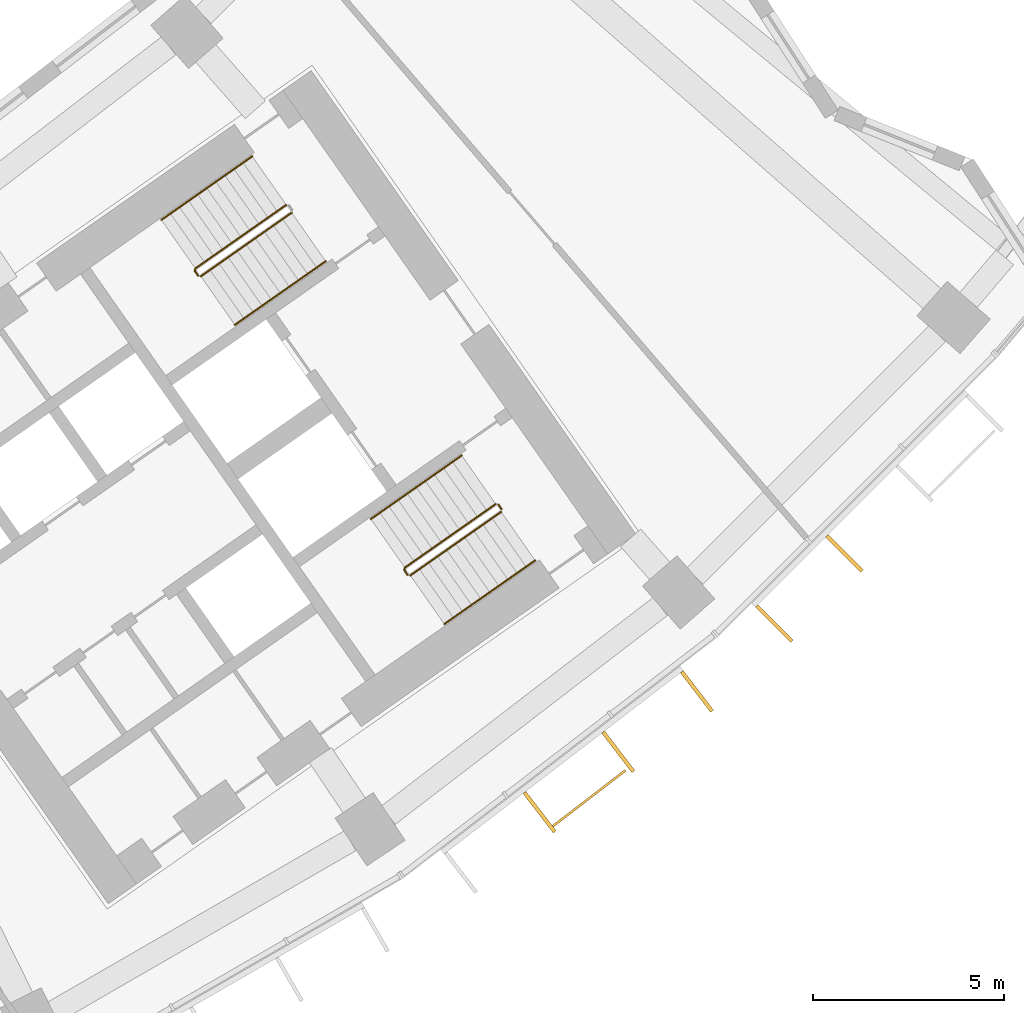
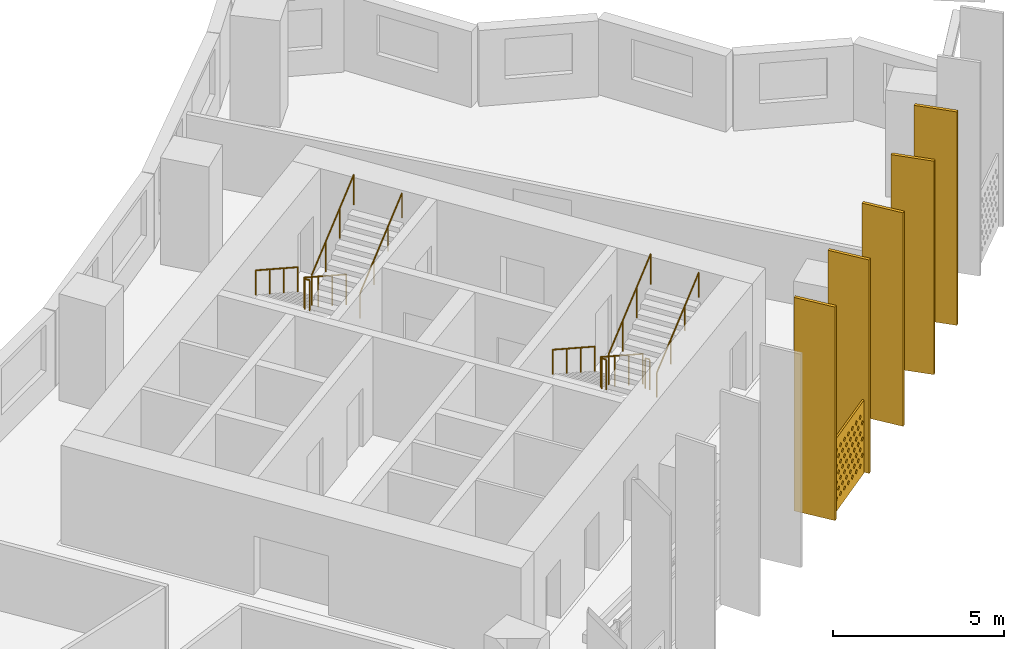
# One storey, part 29 of 30: 9 railings, 6 shading devices.
"""IFC4 building model written with IfcOpenShell, lengths in metres."""

from ifc_helpers import new_model, si_unit, direction, frame, origin, origin_2d, place, context, subcontext, project, spatial, polyline, rectangle, circle, outline, extrude, material, material_profile, profile_set, type_object, element, save


model = new_model("IFC4")

# Units and contexts
model_context = context("Model", 3, precision=1e-05, world=origin(), true_north=direction((0.0, 1.0)))
body_context = subcontext(model_context, "Body", "Model", "MODEL_VIEW")
ifc_project = project(units=[si_unit("LENGTHUNIT", "METRE"), si_unit("AREAUNIT", "SQUARE_METRE"), si_unit("VOLUMEUNIT", "CUBIC_METRE"), si_unit("PLANEANGLEUNIT", "RADIAN"), si_unit("MASSUNIT", "GRAM", prefix="KILO")], contexts=[model_context])

# Site, building, storey
site_placement = place(None, origin())
site = spatial("IfcSite", under=ifc_project, at=site_placement, CompositionType="ELEMENT")
building_placement = place(site_placement, origin())
building = spatial("IfcBuilding", under=site, at=building_placement, Name="Qamariyya Broadcast Tower", CompositionType="ELEMENT")
storey_placement = place(building_placement, frame((0.0, 0.0, 110.10009765625)))
storey = spatial("IfcBuildingStorey", under=building, at=storey_placement, Name="L24", CompositionType="ELEMENT", Elevation=110.10009765625)

# Shading device
ifc_material_1 = material(Name="Perforated glazed terracotta", Category="masonry")
ifc_material_profile_1 = material_profile(ifc_material_1, outline(polyline([(-1.199951171875, -1.300048828125), (1.199951171875, -1.300048828125), (1.199951171875, 1.300048828125), (-1.199951171875, 1.300048828125), (-1.199951171875, -1.300048828125)]), holes=[polyline([(-0.81494140625, -0.86669921875), (-0.89990234375, -0.78173828125), (-0.985107421875, -0.86669921875), (-0.89990234375, -0.95166015625), (-0.81494140625, -0.86669921875)]), polyline([(-0.514892578125, -0.86669921875), (-0.60009765625, -0.78173828125), (-0.68505859375, -0.86669921875), (-0.60009765625, -0.95166015625), (-0.514892578125, -0.86669921875)]), polyline([(-0.215087890625, -0.86669921875), (-0.300048828125, -0.78173828125), (-0.385009765625, -0.86669921875), (-0.300048828125, -0.95166015625), (-0.215087890625, -0.86669921875)]), polyline([(0.0849609375, -0.86669921875), (0.0, -0.78173828125), (-0.0849609375, -0.86669921875), (0.0, -0.95166015625), (0.0849609375, -0.86669921875)]), polyline([(0.385009765625, -0.86669921875), (0.300048828125, -0.78173828125), (0.215087890625, -0.86669921875), (0.300048828125, -0.95166015625), (0.385009765625, -0.86669921875)]), polyline([(0.68505859375, -0.86669921875), (0.60009765625, -0.78173828125), (0.514892578125, -0.86669921875), (0.60009765625, -0.95166015625), (0.68505859375, -0.86669921875)]), polyline([(0.985107421875, -0.86669921875), (0.89990234375, -0.78173828125), (0.81494140625, -0.86669921875), (0.89990234375, -0.95166015625), (0.985107421875, -0.86669921875)]), polyline([(-0.965087890625, -0.577880859375), (-1.050048828125, -0.49267578125), (-1.135009765625, -0.577880859375), (-1.050048828125, -0.662841796875), (-0.965087890625, -0.577880859375)]), polyline([(-0.6650390625, -0.577880859375), (-0.75, -0.49267578125), (-0.8349609375, -0.577880859375), (-0.75, -0.662841796875), (-0.6650390625, -0.577880859375)]), polyline([(-0.364990234375, -0.577880859375), (-0.449951171875, -0.49267578125), (-0.534912109375, -0.577880859375), (-0.449951171875, -0.662841796875), (-0.364990234375, -0.577880859375)]), polyline([(-0.06494140625, -0.577880859375), (-0.14990234375, -0.49267578125), (-0.235107421875, -0.577880859375), (-0.14990234375, -0.662841796875), (-0.06494140625, -0.577880859375)]), polyline([(0.235107421875, -0.577880859375), (0.14990234375, -0.49267578125), (0.06494140625, -0.577880859375), (0.14990234375, -0.662841796875), (0.235107421875, -0.577880859375)]), polyline([(0.534912109375, -0.577880859375), (0.449951171875, -0.49267578125), (0.364990234375, -0.577880859375), (0.449951171875, -0.662841796875), (0.534912109375, -0.577880859375)]), polyline([(0.8349609375, -0.577880859375), (0.75, -0.49267578125), (0.6650390625, -0.577880859375), (0.75, -0.662841796875), (0.8349609375, -0.577880859375)]), polyline([(1.135009765625, -0.577880859375), (1.050048828125, -0.49267578125), (0.965087890625, -0.577880859375), (1.050048828125, -0.662841796875), (1.135009765625, -0.577880859375)]), polyline([(-0.81494140625, -0.288818359375), (-0.89990234375, -0.203857421875), (-0.985107421875, -0.288818359375), (-0.89990234375, -0.373779296875), (-0.81494140625, -0.288818359375)]), polyline([(-0.514892578125, -0.288818359375), (-0.60009765625, -0.203857421875), (-0.68505859375, -0.288818359375), (-0.60009765625, -0.373779296875), (-0.514892578125, -0.288818359375)]), polyline([(-0.215087890625, -0.288818359375), (-0.300048828125, -0.203857421875), (-0.385009765625, -0.288818359375), (-0.300048828125, -0.373779296875), (-0.215087890625, -0.288818359375)]), polyline([(0.0849609375, -0.288818359375), (0.0, -0.203857421875), (-0.0849609375, -0.288818359375), (0.0, -0.373779296875), (0.0849609375, -0.288818359375)]), polyline([(0.385009765625, -0.288818359375), (0.300048828125, -0.203857421875), (0.215087890625, -0.288818359375), (0.300048828125, -0.373779296875), (0.385009765625, -0.288818359375)]), polyline([(0.68505859375, -0.288818359375), (0.60009765625, -0.203857421875), (0.514892578125, -0.288818359375), (0.60009765625, -0.373779296875), (0.68505859375, -0.288818359375)]), polyline([(0.985107421875, -0.288818359375), (0.89990234375, -0.203857421875), (0.81494140625, -0.288818359375), (0.89990234375, -0.373779296875), (0.985107421875, -0.288818359375)]), polyline([(-0.965087890625, 0.0), (-1.050048828125, 0.0849609375), (-1.135009765625, 0.0), (-1.050048828125, -0.0849609375), (-0.965087890625, 0.0)]), polyline([(-0.6650390625, 0.0), (-0.75, 0.0849609375), (-0.8349609375, 0.0), (-0.75, -0.0849609375), (-0.6650390625, 0.0)]), polyline([(-0.364990234375, 0.0), (-0.449951171875, 0.0849609375), (-0.534912109375, 0.0), (-0.449951171875, -0.0849609375), (-0.364990234375, 0.0)]), polyline([(-0.06494140625, 0.0), (-0.14990234375, 0.0849609375), (-0.235107421875, 0.0), (-0.14990234375, -0.0849609375), (-0.06494140625, 0.0)]), polyline([(0.235107421875, 0.0), (0.14990234375, 0.0849609375), (0.06494140625, 0.0), (0.14990234375, -0.0849609375), (0.235107421875, 0.0)]), polyline([(0.534912109375, 0.0), (0.449951171875, 0.0849609375), (0.364990234375, 0.0), (0.449951171875, -0.0849609375), (0.534912109375, 0.0)]), polyline([(0.8349609375, 0.0), (0.75, 0.0849609375), (0.6650390625, 0.0), (0.75, -0.0849609375), (0.8349609375, 0.0)]), polyline([(1.135009765625, 0.0), (1.050048828125, 0.0849609375), (0.965087890625, 0.0), (1.050048828125, -0.0849609375), (1.135009765625, 0.0)]), polyline([(-0.81494140625, 0.288818359375), (-0.89990234375, 0.373779296875), (-0.985107421875, 0.288818359375), (-0.89990234375, 0.203857421875), (-0.81494140625, 0.288818359375)]), polyline([(-0.514892578125, 0.288818359375), (-0.60009765625, 0.373779296875), (-0.68505859375, 0.288818359375), (-0.60009765625, 0.203857421875), (-0.514892578125, 0.288818359375)]), polyline([(-0.215087890625, 0.288818359375), (-0.300048828125, 0.373779296875), (-0.385009765625, 0.288818359375), (-0.300048828125, 0.203857421875), (-0.215087890625, 0.288818359375)]), polyline([(0.0849609375, 0.288818359375), (0.0, 0.373779296875), (-0.0849609375, 0.288818359375), (0.0, 0.203857421875), (0.0849609375, 0.288818359375)]), polyline([(0.385009765625, 0.288818359375), (0.300048828125, 0.373779296875), (0.215087890625, 0.288818359375), (0.300048828125, 0.203857421875), (0.385009765625, 0.288818359375)]), polyline([(0.68505859375, 0.288818359375), (0.60009765625, 0.373779296875), (0.514892578125, 0.288818359375), (0.60009765625, 0.203857421875), (0.68505859375, 0.288818359375)]), polyline([(0.985107421875, 0.288818359375), (0.89990234375, 0.373779296875), (0.81494140625, 0.288818359375), (0.89990234375, 0.203857421875), (0.985107421875, 0.288818359375)]), polyline([(-0.965087890625, 0.577880859375), (-1.050048828125, 0.662841796875), (-1.135009765625, 0.577880859375), (-1.050048828125, 0.49267578125), (-0.965087890625, 0.577880859375)]), polyline([(-0.6650390625, 0.577880859375), (-0.75, 0.662841796875), (-0.8349609375, 0.577880859375), (-0.75, 0.49267578125), (-0.6650390625, 0.577880859375)]), polyline([(-0.364990234375, 0.577880859375), (-0.449951171875, 0.662841796875), (-0.534912109375, 0.577880859375), (-0.449951171875, 0.49267578125), (-0.364990234375, 0.577880859375)]), polyline([(-0.06494140625, 0.577880859375), (-0.14990234375, 0.662841796875), (-0.235107421875, 0.577880859375), (-0.14990234375, 0.49267578125), (-0.06494140625, 0.577880859375)]), polyline([(0.235107421875, 0.577880859375), (0.14990234375, 0.662841796875), (0.06494140625, 0.577880859375), (0.14990234375, 0.49267578125), (0.235107421875, 0.577880859375)]), polyline([(0.534912109375, 0.577880859375), (0.449951171875, 0.662841796875), (0.364990234375, 0.577880859375), (0.449951171875, 0.49267578125), (0.534912109375, 0.577880859375)]), polyline([(0.8349609375, 0.577880859375), (0.75, 0.662841796875), (0.6650390625, 0.577880859375), (0.75, 0.49267578125), (0.8349609375, 0.577880859375)]), polyline([(1.135009765625, 0.577880859375), (1.050048828125, 0.662841796875), (0.965087890625, 0.577880859375), (1.050048828125, 0.49267578125), (1.135009765625, 0.577880859375)]), polyline([(-0.81494140625, 0.86669921875), (-0.89990234375, 0.95166015625), (-0.985107421875, 0.86669921875), (-0.89990234375, 0.78173828125), (-0.81494140625, 0.86669921875)]), polyline([(-0.514892578125, 0.86669921875), (-0.60009765625, 0.95166015625), (-0.68505859375, 0.86669921875), (-0.60009765625, 0.78173828125), (-0.514892578125, 0.86669921875)]), polyline([(-0.215087890625, 0.86669921875), (-0.300048828125, 0.95166015625), (-0.385009765625, 0.86669921875), (-0.300048828125, 0.78173828125), (-0.215087890625, 0.86669921875)]), polyline([(0.0849609375, 0.86669921875), (0.0, 0.95166015625), (-0.0849609375, 0.86669921875), (0.0, 0.78173828125), (0.0849609375, 0.86669921875)]), polyline([(0.385009765625, 0.86669921875), (0.300048828125, 0.95166015625), (0.215087890625, 0.86669921875), (0.300048828125, 0.78173828125), (0.385009765625, 0.86669921875)]), polyline([(0.68505859375, 0.86669921875), (0.60009765625, 0.95166015625), (0.514892578125, 0.86669921875), (0.60009765625, 0.78173828125), (0.68505859375, 0.86669921875)]), polyline([(0.985107421875, 0.86669921875), (0.89990234375, 0.95166015625), (0.81494140625, 0.86669921875), (0.89990234375, 0.78173828125), (0.985107421875, 0.86669921875)])]))
ifc_profile_set_1 = profile_set([ifc_material_profile_1], Name="Perforated glazed terracotta")
shading_device_type_1 = type_object("IfcShadingDeviceType", Name="Perforated terracotta screen 2400 x 2600", PredefinedType="USERDEFINED", material=ifc_profile_set_1)
shading_device_placement = place(storey_placement, frame((48.907470703125, -63.814208984375, 1.349853515625), z_axis=(0.60971076085, -0.792623989105, 0.0), x_axis=(0.792623989105, 0.60971076085, 0.0)))
element("IfcShadingDevice", 1, at=shading_device_placement, inside=storey, type_object=shading_device_type_1, Name="e-scr-L24-14-1", ObjectType="SCREEN", PredefinedType="USERDEFINED", context=body_context, shape_type="SweptSolid", body=[
    extrude(outline(polyline([(-1.199951171875, -1.300048828125), (1.199951171875, -1.300048828125), (1.199951171875, 1.300048828125), (-1.199951171875, 1.300048828125), (-1.199951171875, -1.300048828125)]), holes=[polyline([(-0.81494140625, -0.86669921875), (-0.89990234375, -0.78173828125), (-0.985107421875, -0.86669921875), (-0.89990234375, -0.95166015625), (-0.81494140625, -0.86669921875)]), polyline([(-0.514892578125, -0.86669921875), (-0.60009765625, -0.78173828125), (-0.68505859375, -0.86669921875), (-0.60009765625, -0.95166015625), (-0.514892578125, -0.86669921875)]), polyline([(-0.215087890625, -0.86669921875), (-0.300048828125, -0.78173828125), (-0.385009765625, -0.86669921875), (-0.300048828125, -0.95166015625), (-0.215087890625, -0.86669921875)]), polyline([(0.0849609375, -0.86669921875), (0.0, -0.78173828125), (-0.0849609375, -0.86669921875), (0.0, -0.95166015625), (0.0849609375, -0.86669921875)]), polyline([(0.385009765625, -0.86669921875), (0.300048828125, -0.78173828125), (0.215087890625, -0.86669921875), (0.300048828125, -0.95166015625), (0.385009765625, -0.86669921875)]), polyline([(0.68505859375, -0.86669921875), (0.60009765625, -0.78173828125), (0.514892578125, -0.86669921875), (0.60009765625, -0.95166015625), (0.68505859375, -0.86669921875)]), polyline([(0.985107421875, -0.86669921875), (0.89990234375, -0.78173828125), (0.81494140625, -0.86669921875), (0.89990234375, -0.95166015625), (0.985107421875, -0.86669921875)]), polyline([(-0.965087890625, -0.577880859375), (-1.050048828125, -0.49267578125), (-1.135009765625, -0.577880859375), (-1.050048828125, -0.662841796875), (-0.965087890625, -0.577880859375)]), polyline([(-0.6650390625, -0.577880859375), (-0.75, -0.49267578125), (-0.8349609375, -0.577880859375), (-0.75, -0.662841796875), (-0.6650390625, -0.577880859375)]), polyline([(-0.364990234375, -0.577880859375), (-0.449951171875, -0.49267578125), (-0.534912109375, -0.577880859375), (-0.449951171875, -0.662841796875), (-0.364990234375, -0.577880859375)]), polyline([(-0.06494140625, -0.577880859375), (-0.14990234375, -0.49267578125), (-0.235107421875, -0.577880859375), (-0.14990234375, -0.662841796875), (-0.06494140625, -0.577880859375)]), polyline([(0.235107421875, -0.577880859375), (0.14990234375, -0.49267578125), (0.06494140625, -0.577880859375), (0.14990234375, -0.662841796875), (0.235107421875, -0.577880859375)]), polyline([(0.534912109375, -0.577880859375), (0.449951171875, -0.49267578125), (0.364990234375, -0.577880859375), (0.449951171875, -0.662841796875), (0.534912109375, -0.577880859375)]), polyline([(0.8349609375, -0.577880859375), (0.75, -0.49267578125), (0.6650390625, -0.577880859375), (0.75, -0.662841796875), (0.8349609375, -0.577880859375)]), polyline([(1.135009765625, -0.577880859375), (1.050048828125, -0.49267578125), (0.965087890625, -0.577880859375), (1.050048828125, -0.662841796875), (1.135009765625, -0.577880859375)]), polyline([(-0.81494140625, -0.288818359375), (-0.89990234375, -0.203857421875), (-0.985107421875, -0.288818359375), (-0.89990234375, -0.373779296875), (-0.81494140625, -0.288818359375)]), polyline([(-0.514892578125, -0.288818359375), (-0.60009765625, -0.203857421875), (-0.68505859375, -0.288818359375), (-0.60009765625, -0.373779296875), (-0.514892578125, -0.288818359375)]), polyline([(-0.215087890625, -0.288818359375), (-0.300048828125, -0.203857421875), (-0.385009765625, -0.288818359375), (-0.300048828125, -0.373779296875), (-0.215087890625, -0.288818359375)]), polyline([(0.0849609375, -0.288818359375), (0.0, -0.203857421875), (-0.0849609375, -0.288818359375), (0.0, -0.373779296875), (0.0849609375, -0.288818359375)]), polyline([(0.385009765625, -0.288818359375), (0.300048828125, -0.203857421875), (0.215087890625, -0.288818359375), (0.300048828125, -0.373779296875), (0.385009765625, -0.288818359375)]), polyline([(0.68505859375, -0.288818359375), (0.60009765625, -0.203857421875), (0.514892578125, -0.288818359375), (0.60009765625, -0.373779296875), (0.68505859375, -0.288818359375)]), polyline([(0.985107421875, -0.288818359375), (0.89990234375, -0.203857421875), (0.81494140625, -0.288818359375), (0.89990234375, -0.373779296875), (0.985107421875, -0.288818359375)]), polyline([(-0.965087890625, 0.0), (-1.050048828125, 0.0849609375), (-1.135009765625, 0.0), (-1.050048828125, -0.0849609375), (-0.965087890625, 0.0)]), polyline([(-0.6650390625, 0.0), (-0.75, 0.0849609375), (-0.8349609375, 0.0), (-0.75, -0.0849609375), (-0.6650390625, 0.0)]), polyline([(-0.364990234375, 0.0), (-0.449951171875, 0.0849609375), (-0.534912109375, 0.0), (-0.449951171875, -0.0849609375), (-0.364990234375, 0.0)]), polyline([(-0.06494140625, 0.0), (-0.14990234375, 0.0849609375), (-0.235107421875, 0.0), (-0.14990234375, -0.0849609375), (-0.06494140625, 0.0)]), polyline([(0.235107421875, 0.0), (0.14990234375, 0.0849609375), (0.06494140625, 0.0), (0.14990234375, -0.0849609375), (0.235107421875, 0.0)]), polyline([(0.534912109375, 0.0), (0.449951171875, 0.0849609375), (0.364990234375, 0.0), (0.449951171875, -0.0849609375), (0.534912109375, 0.0)]), polyline([(0.8349609375, 0.0), (0.75, 0.0849609375), (0.6650390625, 0.0), (0.75, -0.0849609375), (0.8349609375, 0.0)]), polyline([(1.135009765625, 0.0), (1.050048828125, 0.0849609375), (0.965087890625, 0.0), (1.050048828125, -0.0849609375), (1.135009765625, 0.0)]), polyline([(-0.81494140625, 0.288818359375), (-0.89990234375, 0.373779296875), (-0.985107421875, 0.288818359375), (-0.89990234375, 0.203857421875), (-0.81494140625, 0.288818359375)]), polyline([(-0.514892578125, 0.288818359375), (-0.60009765625, 0.373779296875), (-0.68505859375, 0.288818359375), (-0.60009765625, 0.203857421875), (-0.514892578125, 0.288818359375)]), polyline([(-0.215087890625, 0.288818359375), (-0.300048828125, 0.373779296875), (-0.385009765625, 0.288818359375), (-0.300048828125, 0.203857421875), (-0.215087890625, 0.288818359375)]), polyline([(0.0849609375, 0.288818359375), (0.0, 0.373779296875), (-0.0849609375, 0.288818359375), (0.0, 0.203857421875), (0.0849609375, 0.288818359375)]), polyline([(0.385009765625, 0.288818359375), (0.300048828125, 0.373779296875), (0.215087890625, 0.288818359375), (0.300048828125, 0.203857421875), (0.385009765625, 0.288818359375)]), polyline([(0.68505859375, 0.288818359375), (0.60009765625, 0.373779296875), (0.514892578125, 0.288818359375), (0.60009765625, 0.203857421875), (0.68505859375, 0.288818359375)]), polyline([(0.985107421875, 0.288818359375), (0.89990234375, 0.373779296875), (0.81494140625, 0.288818359375), (0.89990234375, 0.203857421875), (0.985107421875, 0.288818359375)]), polyline([(-0.965087890625, 0.577880859375), (-1.050048828125, 0.662841796875), (-1.135009765625, 0.577880859375), (-1.050048828125, 0.49267578125), (-0.965087890625, 0.577880859375)]), polyline([(-0.6650390625, 0.577880859375), (-0.75, 0.662841796875), (-0.8349609375, 0.577880859375), (-0.75, 0.49267578125), (-0.6650390625, 0.577880859375)]), polyline([(-0.364990234375, 0.577880859375), (-0.449951171875, 0.662841796875), (-0.534912109375, 0.577880859375), (-0.449951171875, 0.49267578125), (-0.364990234375, 0.577880859375)]), polyline([(-0.06494140625, 0.577880859375), (-0.14990234375, 0.662841796875), (-0.235107421875, 0.577880859375), (-0.14990234375, 0.49267578125), (-0.06494140625, 0.577880859375)]), polyline([(0.235107421875, 0.577880859375), (0.14990234375, 0.662841796875), (0.06494140625, 0.577880859375), (0.14990234375, 0.49267578125), (0.235107421875, 0.577880859375)]), polyline([(0.534912109375, 0.577880859375), (0.449951171875, 0.662841796875), (0.364990234375, 0.577880859375), (0.449951171875, 0.49267578125), (0.534912109375, 0.577880859375)]), polyline([(0.8349609375, 0.577880859375), (0.75, 0.662841796875), (0.6650390625, 0.577880859375), (0.75, 0.49267578125), (0.8349609375, 0.577880859375)]), polyline([(1.135009765625, 0.577880859375), (1.050048828125, 0.662841796875), (0.965087890625, 0.577880859375), (1.050048828125, 0.49267578125), (1.135009765625, 0.577880859375)]), polyline([(-0.81494140625, 0.86669921875), (-0.89990234375, 0.95166015625), (-0.985107421875, 0.86669921875), (-0.89990234375, 0.78173828125), (-0.81494140625, 0.86669921875)]), polyline([(-0.514892578125, 0.86669921875), (-0.60009765625, 0.95166015625), (-0.68505859375, 0.86669921875), (-0.60009765625, 0.78173828125), (-0.514892578125, 0.86669921875)]), polyline([(-0.215087890625, 0.86669921875), (-0.300048828125, 0.95166015625), (-0.385009765625, 0.86669921875), (-0.300048828125, 0.78173828125), (-0.215087890625, 0.86669921875)]), polyline([(0.0849609375, 0.86669921875), (0.0, 0.95166015625), (-0.0849609375, 0.86669921875), (0.0, 0.78173828125), (0.0849609375, 0.86669921875)]), polyline([(0.385009765625, 0.86669921875), (0.300048828125, 0.95166015625), (0.215087890625, 0.86669921875), (0.300048828125, 0.78173828125), (0.385009765625, 0.86669921875)]), polyline([(0.68505859375, 0.86669921875), (0.60009765625, 0.95166015625), (0.514892578125, 0.86669921875), (0.60009765625, 0.78173828125), (0.68505859375, 0.86669921875)]), polyline([(0.985107421875, 0.86669921875), (0.89990234375, 0.95166015625), (0.81494140625, 0.86669921875), (0.89990234375, 0.78173828125), (0.985107421875, 0.86669921875)])]), origin(), (0.0, 0.0, 1.0), 0.06005859375),
])

# Railings
ifc_material_2 = material(Name="Painted steel", Category="steel")
railing_type_1 = type_object("IfcRailingType", Name="Stair guard", PredefinedType="GUARDRAIL", material=ifc_material_2)
railing_1_placement = place(storey_placement, frame((41.003173828125, -48.320068359375, 0.172607421875)))
element("IfcRailing", 2, at=railing_1_placement, inside=storey, type_object=railing_type_1, Name="L24 ST-E2 stair guard 1", PredefinedType="GUARDRAIL", context=body_context, shape_type="SweptSolid", body=[
    extrude(circle(Radius=0.02392578125, at=origin_2d()), frame((0.0, 0.0, 1.076171875), z_axis=(-0.703770094002, -0.492783725636, 0.511734163933), x_axis=(0.573575343427, -0.819152809562, 0.0)), (0.0, 0.0, 1.0), 3.37548828125),
    extrude(circle(Radius=0.02392578125, at=origin_2d()), frame((-2.37548828125, -1.663330078125, 2.80322265625), z_axis=(-0.172799478008, -0.984957024646, 0.0), x_axis=(0.984957024646, -0.172799478008, 0.0)), (0.0, 0.0, 1.0), 0.070556640625),
    extrude(circle(Radius=0.02392578125, at=origin_2d()), frame((-2.3876953125, -1.73291015625, 2.80322265625), z_axis=(0.572588637393, -0.819842821722, 0.0), x_axis=(0.819842821722, 0.572588637393, 0.0)), (0.0, 0.0, 1.0), 0.150146484375),
    extrude(circle(Radius=0.02099609375, at=origin_2d()), origin(), (0.0, 0.0, 1.0), 1.052001953125),
    extrude(circle(Radius=0.02099609375, at=origin_2d()), frame((-0.791748046875, -0.554443359375, 0.57568359375)), (0.0, 0.0, 1.0), 1.052001953125),
    extrude(circle(Radius=0.02099609375, at=origin_2d()), frame((-1.583740234375, -1.10888671875, 1.151611328125)), (0.0, 0.0, 1.0), 1.052001953125),
    extrude(circle(Radius=0.02099609375, at=origin_2d()), frame((-2.37548828125, -1.663330078125, 1.727294921875)), (0.0, 0.0, 1.0), 1.052001953125),
    extrude(circle(Radius=0.02099609375, at=origin_2d()), frame((-2.3876953125, -1.73291015625, 1.727294921875)), (0.0, 0.0, 1.0), 1.052001953125),
    extrude(circle(Radius=0.02099609375, at=origin_2d()), frame((-2.3017578125, -1.85595703125, 1.727294921875)), (0.0, 0.0, 1.0), 1.052001953125),
])
railing_2_placement = place(storey_placement, frame((38.771240234375, -50.188232421875, 2.072509765625)))
element("IfcRailing", 3, at=railing_2_placement, inside=storey, type_object=railing_type_1, Name="L24 ST-E2 stair guard 2", PredefinedType="GUARDRAIL", context=body_context, shape_type="SweptSolid", body=[
    extrude(circle(Radius=0.02392578125, at=origin_2d()), frame((0.0, 0.0, 1.076171875), z_axis=(0.703770094002, 0.492783725636, 0.511734163933), x_axis=(-0.573575343427, 0.819152809562, 0.0)), (0.0, 0.0, 1.0), 3.37548828125),
    extrude(circle(Radius=0.02099609375, at=origin_2d()), origin(), (0.0, 0.0, 1.0), 1.052001953125),
    extrude(circle(Radius=0.02099609375, at=origin_2d()), frame((0.791748046875, 0.554443359375, 0.57568359375)), (0.0, 0.0, 1.0), 1.052001953125),
    extrude(circle(Radius=0.02099609375, at=origin_2d()), frame((1.583740234375, 1.10888671875, 1.151611328125)), (0.0, 0.0, 1.0), 1.052001953125),
    extrude(circle(Radius=0.02099609375, at=origin_2d()), frame((2.37548828125, 1.663330078125, 1.727294921875)), (0.0, 0.0, 1.0), 1.052001953125),
])
railing_3_placement = place(storey_placement, frame((46.48095703125, -56.14306640625, 0.172607421875)))
element("IfcRailing", 4, at=railing_3_placement, inside=storey, type_object=railing_type_1, Name="L24 ST-E1 stair guard 1", PredefinedType="GUARDRAIL", context=body_context, shape_type="SweptSolid", body=[
    extrude(circle(Radius=0.02392578125, at=origin_2d()), frame((0.0, 0.0, 1.076171875), z_axis=(-0.703770094002, -0.492783725636, 0.511734163933), x_axis=(0.573575343427, -0.819152809562, 0.0)), (0.0, 0.0, 1.0), 3.37548828125),
    extrude(circle(Radius=0.02392578125, at=origin_2d()), frame((-2.37548828125, -1.663330078125, 2.80322265625), z_axis=(-0.176149252506, -0.984363469884, 0.0), x_axis=(0.984363469884, -0.176149252506, 0.0)), (0.0, 0.0, 1.0), 0.07080078125),
    extrude(circle(Radius=0.02392578125, at=origin_2d()), frame((-2.387939453125, -1.73291015625, 2.80322265625), z_axis=(0.574444878118, -0.818543268254, 0.0), x_axis=(0.818543268254, 0.574444878118, 0.0)), (0.0, 0.0, 1.0), 0.150146484375),
    extrude(circle(Radius=0.02099609375, at=origin_2d()), origin(), (0.0, 0.0, 1.0), 1.052001953125),
    extrude(circle(Radius=0.02099609375, at=origin_2d()), frame((-0.791748046875, -0.554443359375, 0.57568359375)), (0.0, 0.0, 1.0), 1.052001953125),
    extrude(circle(Radius=0.02099609375, at=origin_2d()), frame((-1.583740234375, -1.10888671875, 1.151611328125)), (0.0, 0.0, 1.0), 1.052001953125),
    extrude(circle(Radius=0.02099609375, at=origin_2d()), frame((-2.37548828125, -1.663330078125, 1.727294921875)), (0.0, 0.0, 1.0), 1.052001953125),
    extrude(circle(Radius=0.02099609375, at=origin_2d()), frame((-2.387939453125, -1.73291015625, 1.727294921875)), (0.0, 0.0, 1.0), 1.052001953125),
    extrude(circle(Radius=0.02099609375, at=origin_2d()), frame((-2.3017578125, -1.855712890625, 1.727294921875)), (0.0, 0.0, 1.0), 1.052001953125),
])
railing_4_placement = place(storey_placement, frame((44.248779296875, -58.01123046875, 2.072509765625)))
element("IfcRailing", 5, at=railing_4_placement, inside=storey, type_object=railing_type_1, Name="L24 ST-E1 stair guard 2", PredefinedType="GUARDRAIL", context=body_context, shape_type="SweptSolid", body=[
    extrude(circle(Radius=0.02392578125, at=origin_2d()), frame((0.0, 0.0, 1.076171875), z_axis=(0.703745009021, 0.492838488332, 0.511715923826), x_axis=(-0.573631830683, 0.819113253969, 0.0)), (0.0, 0.0, 1.0), 3.37548828125),
    extrude(circle(Radius=0.02099609375, at=origin_2d()), origin(), (0.0, 0.0, 1.0), 1.052001953125),
    extrude(circle(Radius=0.02099609375, at=origin_2d()), frame((0.791748046875, 0.554443359375, 0.57568359375)), (0.0, 0.0, 1.0), 1.052001953125),
    extrude(circle(Radius=0.02099609375, at=origin_2d()), frame((1.583740234375, 1.109130859375, 1.151611328125)), (0.0, 0.0, 1.0), 1.052001953125),
    extrude(circle(Radius=0.02099609375, at=origin_2d()), frame((2.37548828125, 1.66357421875, 1.727294921875)), (0.0, 0.0, 1.0), 1.052001953125),
])
railing_5_placement = place(storey_placement, frame((46.550537109375, -56.1552734375, 0.0)))
element("IfcRailing", 6, at=railing_5_placement, inside=storey, type_object=railing_type_1, Name="L24 ST-E1 stair guard 3", PredefinedType="GUARDRAIL", context=body_context, shape_type="SweptSolid", body=[
    extrude(circle(Radius=0.02392578125, at=origin_2d()), frame((0.0, 0.0, 1.076171875), z_axis=(0.574444878118, -0.818543268254, 0.0), x_axis=(0.818543268254, 0.574444878118, 0.0)), (0.0, 0.0, 1.0), 0.150146484375),
    extrude(circle(Radius=0.02099609375, at=origin_2d()), origin(), (0.0, 0.0, 1.0), 1.052001953125),
    extrude(circle(Radius=0.02099609375, at=origin_2d()), frame((0.086181640625, -0.122802734375, 0.0)), (0.0, 0.0, 1.0), 1.052001953125),
])
ifc_material_3 = material(Name="Stainless steel", Category="steel")
railing_type_2 = type_object("IfcRailingType", Name="Stair handrail", PredefinedType="HANDRAIL", material=ifc_material_3)
railing_6_placement = place(storey_placement, frame((40.1142578125, -47.05029296875, 0.172607421875)))
element("IfcRailing", 7, at=railing_6_placement, inside=storey, type_object=railing_type_2, Name="L24 ST-E2 stair handrail 1", PredefinedType="HANDRAIL", context=body_context, shape_type="SweptSolid", body=[
    extrude(circle(Radius=0.02392578125, at=origin_2d()), frame((0.0, 0.0, 0.8759765625), z_axis=(-0.703745009021, -0.492838488332, 0.511715923826), x_axis=(0.573631830683, -0.819113253969, 0.0)), (0.0, 0.0, 1.0), 3.37548828125),
    extrude(circle(Radius=0.02099609375, at=origin_2d()), origin(), (0.0, 0.0, 1.0), 0.851806640625),
    extrude(circle(Radius=0.02099609375, at=origin_2d()), frame((-0.791748046875, -0.554443359375, 0.57568359375)), (0.0, 0.0, 1.0), 0.851806640625),
    extrude(circle(Radius=0.02099609375, at=origin_2d()), frame((-1.583740234375, -1.109130859375, 1.151611328125)), (0.0, 0.0, 1.0), 0.851806640625),
    extrude(circle(Radius=0.02099609375, at=origin_2d()), frame((-2.37548828125, -1.66357421875, 1.727294921875)), (0.0, 0.0, 1.0), 0.851806640625),
])
railing_7_placement = place(storey_placement, frame((39.66015625, -51.4580078125, 2.072509765625)))
element("IfcRailing", 8, at=railing_7_placement, inside=storey, type_object=railing_type_2, Name="L24 ST-E2 stair handrail 2", PredefinedType="HANDRAIL", context=body_context, shape_type="SweptSolid", body=[
    extrude(circle(Radius=0.02392578125, at=origin_2d()), frame((0.0, 0.0, 0.8759765625), z_axis=(0.703745009021, 0.492838488332, 0.511715923826), x_axis=(-0.573631830683, 0.819113253969, 0.0)), (0.0, 0.0, 1.0), 3.37548828125),
    extrude(circle(Radius=0.02099609375, at=origin_2d()), origin(), (0.0, 0.0, 1.0), 0.851806640625),
    extrude(circle(Radius=0.02099609375, at=origin_2d()), frame((0.791748046875, 0.554443359375, 0.57568359375)), (0.0, 0.0, 1.0), 0.851806640625),
    extrude(circle(Radius=0.02099609375, at=origin_2d()), frame((1.583740234375, 1.109130859375, 1.151611328125)), (0.0, 0.0, 1.0), 0.851806640625),
    extrude(circle(Radius=0.02099609375, at=origin_2d()), frame((2.37548828125, 1.66357421875, 1.727294921875)), (0.0, 0.0, 1.0), 0.851806640625),
])
railing_8_placement = place(storey_placement, frame((45.591796875, -54.873291015625, 0.172607421875)))
element("IfcRailing", 9, at=railing_8_placement, inside=storey, type_object=railing_type_2, Name="L24 ST-E1 stair handrail 1", PredefinedType="HANDRAIL", context=body_context, shape_type="SweptSolid", body=[
    extrude(circle(Radius=0.02392578125, at=origin_2d()), frame((0.0, 0.0, 0.8759765625), z_axis=(-0.703770094002, -0.492783725636, 0.511734163933), x_axis=(0.573575343427, -0.819152809562, 0.0)), (0.0, 0.0, 1.0), 3.37548828125),
    extrude(circle(Radius=0.02099609375, at=origin_2d()), origin(), (0.0, 0.0, 1.0), 0.851806640625),
    extrude(circle(Radius=0.02099609375, at=origin_2d()), frame((-0.791748046875, -0.554443359375, 0.57568359375)), (0.0, 0.0, 1.0), 0.851806640625),
    extrude(circle(Radius=0.02099609375, at=origin_2d()), frame((-1.583740234375, -1.10888671875, 1.151611328125)), (0.0, 0.0, 1.0), 0.851806640625),
    extrude(circle(Radius=0.02099609375, at=origin_2d()), frame((-2.37548828125, -1.663330078125, 1.727294921875)), (0.0, 0.0, 1.0), 0.851806640625),
])
railing_9_placement = place(storey_placement, frame((45.137939453125, -59.28076171875, 2.072509765625)))
element("IfcRailing", 10, at=railing_9_placement, inside=storey, type_object=railing_type_2, Name="L24 ST-E1 stair handrail 2", PredefinedType="HANDRAIL", context=body_context, shape_type="SweptSolid", body=[
    extrude(circle(Radius=0.02392578125, at=origin_2d()), frame((0.0, 0.0, 0.8759765625), z_axis=(0.703770094002, 0.492783725636, 0.511734163933), x_axis=(-0.573575343427, 0.819152809562, 0.0)), (0.0, 0.0, 1.0), 3.37548828125),
    extrude(circle(Radius=0.02099609375, at=origin_2d()), origin(), (0.0, 0.0, 1.0), 0.851806640625),
    extrude(circle(Radius=0.02099609375, at=origin_2d()), frame((0.791748046875, 0.554443359375, 0.57568359375)), (0.0, 0.0, 1.0), 0.851806640625),
    extrude(circle(Radius=0.02099609375, at=origin_2d()), frame((1.583740234375, 1.10888671875, 1.151611328125)), (0.0, 0.0, 1.0), 0.851806640625),
    extrude(circle(Radius=0.02099609375, at=origin_2d()), frame((2.37548828125, 1.663330078125, 1.727294921875)), (0.0, 0.0, 1.0), 0.851806640625),
])

# Shading devices
ifc_material_4 = material(Name="Glazed terracotta", Category="masonry")
ifc_material_profile_2 = material_profile(ifc_material_4, rectangle(XDim=1.300048828125, YDim=0.10009765625, at=origin_2d()))
ifc_profile_set_2 = profile_set([ifc_material_profile_2], Name="Glazed terracotta")
shading_device_type_2 = type_object("IfcShadingDeviceType", Name="Terracotta fin 100 x 1300", PredefinedType="USERDEFINED", material=ifc_profile_set_2)
for number, where, z_axis, x_axis, name in (
    (11, (47.629638671875, -64.2021484375, 0.0), (0.0, 0.0, 1.0), (0.608761429009, -0.793353340291, 0.0), "e-fin-L24-14-1"),
    (12, (49.68701171875, -62.62353515625, 0.0), (0.0, 0.0, 1.0), (0.608761429009, -0.793353340291, 0.0), "e-fin-L24-14-2"),
    (13, (51.744384765625, -61.044921875, 0.0), (0.0, 0.0, 1.0), (0.608761429009, -0.793353340291, 0.0), "e-fin-L24-14-3"),
    (14, (53.7685546875, -59.269775390625, 0.0), (0.0, 0.0, 1.0), (0.707106781187, -0.707106781187, 0.0), "e-fin-L24-15-0"),
    (15, (55.602294921875, -57.43603515625, 0.0), (0.0, 0.0, 1.0), (0.707106781187, -0.707106781187, 0.0), "e-fin-L24-15-1"),
):
    element("IfcShadingDevice", number, at=place(storey_placement, frame(where, z_axis=z_axis, x_axis=x_axis)), inside=storey, type_object=shading_device_type_2, Name=name, ObjectType="FIN", PredefinedType="USERDEFINED", context=body_context, shape_type="SweptSolid", body=[
        extrude(rectangle(XDim=1.300048828125, YDim=0.10009765625, at=origin_2d()), origin(), (0.0, 0.0, 1.0), 7.599853515625),
    ])

save(model, "model.ifc")
